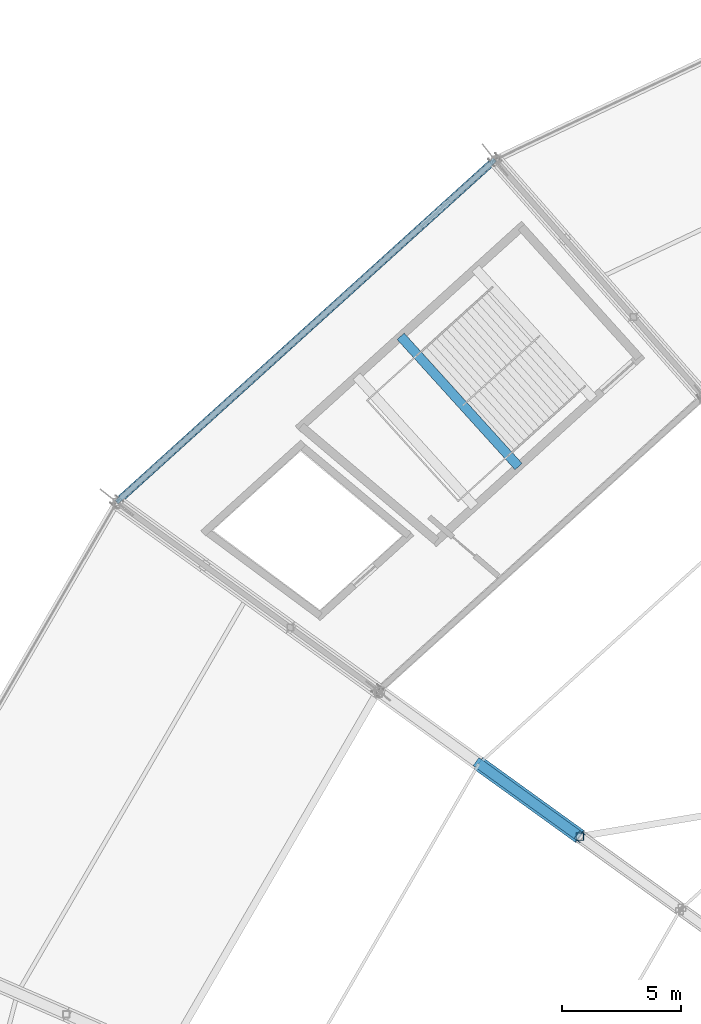
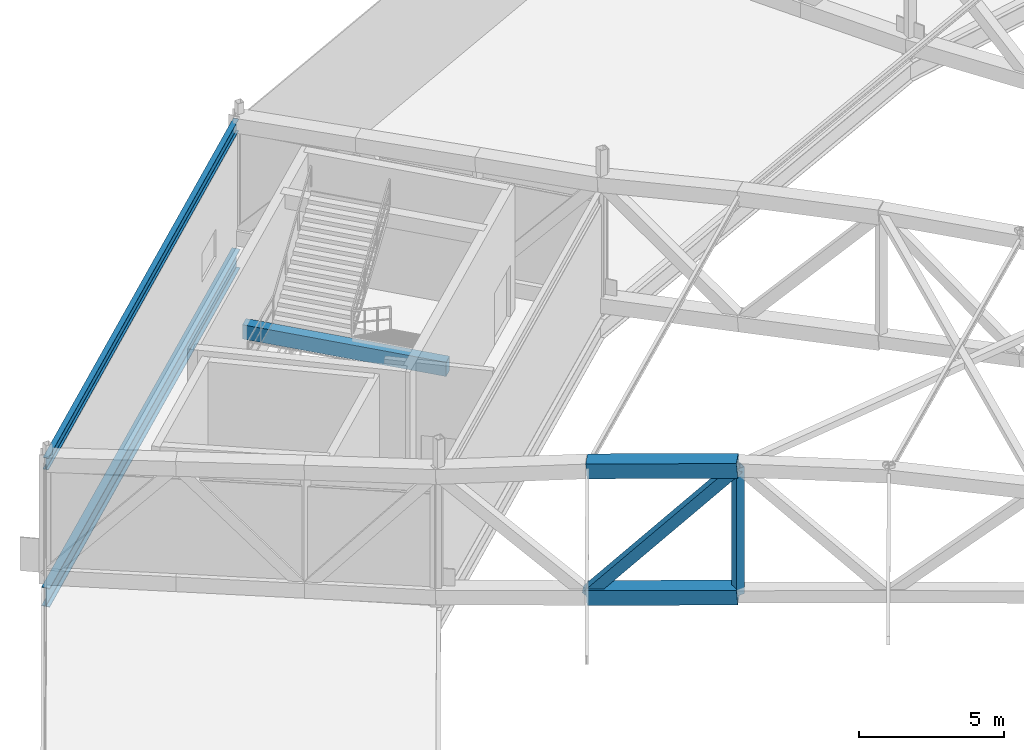
# One storey, part 67 of 162: 4 members, 3 beams.
"""IFC4 building model written with IfcOpenShell, lengths in metres."""

from ifc_helpers import new_model, si_unit, direction, frame, origin, origin_2d, place, context, subcontext, project, spatial, rectangle, hollow_rectangle, i_section, extrude, material, material_profile, profile_set, type_object, element, save


model = new_model("IFC4")

# Units and contexts
model_context = context("Model", 3, precision=1e-05, world=origin(), true_north=direction((0.0, 1.0)))
body_context = subcontext(model_context, "Body", "Model", "MODEL_VIEW")
ifc_project = project(units=[si_unit("LENGTHUNIT", "METRE"), si_unit("AREAUNIT", "SQUARE_METRE"), si_unit("VOLUMEUNIT", "CUBIC_METRE"), si_unit("PLANEANGLEUNIT", "RADIAN"), si_unit("MASSUNIT", "GRAM", prefix="KILO")], contexts=[model_context])

# Site, building, storey
site_placement = place(None, origin())
site = spatial("IfcSite", under=ifc_project, at=site_placement, CompositionType="ELEMENT")
building_placement = place(site_placement, origin())
building = spatial("IfcBuilding", under=site, at=building_placement, Name="Kazemori Nagisa Stadium", CompositionType="ELEMENT")
storey_placement = place(building_placement, frame((0.0, 0.0, 36.719970703125)))
storey = spatial("IfcBuildingStorey", under=building, at=storey_placement, Name="RF", CompositionType="ELEMENT", Elevation=36.719970703125)

# Beams
ifc_material_1 = material(Name="Steel SN490B", Category="steel")
ifc_material_profile_1 = material_profile(ifc_material_1, i_section(OverallWidth=0.199951171875, OverallDepth=0.5, WebThickness=0.010009765625, FlangeThickness=0.01611328125, FilletRadius=0.012939453125, at=origin_2d()), Name="H-500x200x10x16")
ifc_profile_set_1 = profile_set([ifc_material_profile_1], Name="Steel SN490B")
beam_type_1 = type_object("IfcBeamType", Name="Beam_BG-H500", PredefinedType="BEAM", material=ifc_profile_set_1)
beam_1_placement = place(storey_placement, frame((60.402099609375, 173.05908203125, 4.93994140625), z_axis=(-0.741351531326, -0.671116910084, 0.0), x_axis=(0.671116910084, -0.741351531326, 0.0)))
element("IfcBeam", 1, at=beam_1_placement, inside=storey, type_object=beam_type_1, Name="Headhouse roof beam BG-H500 B11-out", PredefinedType="BEAM", context=body_context, shape_type="SweptSolid", body=[
    extrude(i_section(OverallWidth=0.199951171875, OverallDepth=0.5, WebThickness=0.010009765625, FlangeThickness=0.01611328125, FilletRadius=0.012939453125, at=origin_2d()), origin(), (0.0, 0.0, 1.0), 21.44384765625),
])
ifc_material_profile_2 = material_profile(ifc_material_1, i_section(OverallWidth=0.300048828125, OverallDepth=0.800048828125, WebThickness=0.013916015625, FlangeThickness=0.02587890625, FilletRadius=0.01806640625, at=origin_2d()), Name="H-800x300x14x26")
ifc_profile_set_2 = profile_set([ifc_material_profile_2], Name="Steel SN490B")
beam_type_2 = type_object("IfcBeamType", Name="Beam_BG-H800", PredefinedType="BEAM", material=ifc_profile_set_2)
beam_2_placement = place(storey_placement, frame((60.402099609375, 173.05908203125, -0.679931640625), z_axis=(-0.741351531326, -0.671116910084, 0.0), x_axis=(0.671116910084, -0.741351531326, 0.0)))
element("IfcBeam", 2, at=beam_2_placement, inside=storey, type_object=beam_type_2, Name="Roof compression ring beam BG-H800 R3-11", PredefinedType="BEAM", context=body_context, shape_type="SweptSolid", body=[
    extrude(i_section(OverallWidth=0.300048828125, OverallDepth=0.800048828125, WebThickness=0.013916015625, FlangeThickness=0.02587890625, FilletRadius=0.01806640625, at=origin_2d()), origin(), (0.0, 0.0, 1.0), 21.44384765625),
])
ifc_material_2 = material(Name="Concrete C40/50 (Fc42)", Category="concrete")
ifc_material_profile_3 = material_profile(ifc_material_2, rectangle(XDim=0.39990234375, YDim=0.60009765625, at=origin_2d()), Name="RC-BM-400x600")
ifc_profile_set_3 = profile_set([ifc_material_profile_3], Name="Concrete C40/50 (Fc42)")
beam_type_3 = type_object("IfcBeamType", Name="Beam_BG-LND400X600", PredefinedType="BEAM", material=ifc_profile_set_3)
beam_3_placement = place(storey_placement, frame((61.39599609375, 160.164306640625, 2.219970703125), z_axis=(-0.671095068472, 0.741371303108, 0.0), x_axis=(-0.741371303108, -0.671095068472, 0.0)))
element("IfcBeam", 3, at=beam_3_placement, inside=storey, type_object=beam_type_3, Name="Core stair mid-landing girder ST02-RF-1", PredefinedType="BEAM", context=body_context, shape_type="SweptSolid", body=[
    extrude(rectangle(XDim=0.39990234375, YDim=0.60009765625, at=origin_2d()), origin(), (0.0, 0.0, 1.0), 7.3857421875),
])

# Members
ifc_material_3 = material(Name="Steel STKR490", Category="steel")
ifc_material_profile_4 = material_profile(ifc_material_3, hollow_rectangle(XDim=0.419921875, YDim=0.419921875, WallThickness=0.01611328125, at=origin_2d()), Name="SHS-420x420x16")
ifc_profile_set_4 = profile_set([ifc_material_profile_4], Name="Steel STKR490")
member_type_1 = type_object("IfcMemberType", Name="Member_TB-SHS420", PredefinedType="BRACE", material=ifc_profile_set_4)
member_1_placement = place(storey_placement, frame((59.732666015625, 147.674072265625, 0.838134765625), z_axis=(0.546896857852, -0.394816565852, 0.738257208702), x_axis=(0.585330267791, 0.810794966442, 0.0)))
element("IfcMember", 4, at=member_1_placement, inside=storey, type_object=member_type_1, Name="Roof space truss diagonal RT-12-5", PredefinedType="BRACE", context=body_context, shape_type="SweptSolid", body=[
    extrude(hollow_rectangle(XDim=0.419921875, YDim=0.419921875, WallThickness=0.01611328125, at=origin_2d()), origin(), (0.0, 0.0, 1.0), 7.75048828125),
])
ifc_material_profile_5 = material_profile(ifc_material_3, hollow_rectangle(XDim=0.6201171875, YDim=0.6201171875, WallThickness=0.02197265625, at=origin_2d()), Name="SHS-620x620x22")
ifc_profile_set_5 = profile_set([ifc_material_profile_5], Name="Steel STKR490")
member_type_2 = type_object("IfcMemberType", Name="Member_TC-SHS620", PredefinedType="CHORD", material=ifc_profile_set_5)
member_2_placement = place(storey_placement, frame((59.732666015625, 147.674072265625, 6.1650390625), z_axis=(0.808490311607, -0.583666488059, 0.075344852216), x_axis=(0.585330267791, 0.810794966442, 0.0)))
element("IfcMember", 5, at=member_2_placement, inside=storey, type_object=member_type_2, Name="Roof space truss top chord RT-12-5", PredefinedType="CHORD", context=body_context, shape_type="SweptSolid", body=[
    extrude(hollow_rectangle(XDim=0.6201171875, YDim=0.6201171875, WallThickness=0.02197265625, at=origin_2d()), origin(), (0.0, 0.0, 1.0), 5.242919921875),
])
member_3_placement = place(storey_placement, frame((59.732666015625, 147.674072265625, 0.838134765625), z_axis=(0.808684650837, -0.583806785715, 0.072102513506), x_axis=(0.585330267791, 0.810794966442, 0.0)))
element("IfcMember", 6, at=member_3_placement, inside=storey, type_object=member_type_2, Name="Roof space truss bottom chord RT-12-5", PredefinedType="CHORD", context=body_context, shape_type="SweptSolid", body=[
    extrude(hollow_rectangle(XDim=0.6201171875, YDim=0.6201171875, WallThickness=0.02197265625, at=origin_2d()), origin(), (0.0, 0.0, 1.0), 5.241455078125),
])
ifc_material_profile_6 = material_profile(ifc_material_3, hollow_rectangle(XDim=0.320068359375, YDim=0.320068359375, WallThickness=0.011962890625, at=origin_2d()), Name="SHS-320x320x12")
ifc_profile_set_6 = profile_set([ifc_material_profile_6], Name="Steel STKR490")
member_type_3 = type_object("IfcMemberType", Name="Member_TS-SHS320", PredefinedType="STRUT", material=ifc_profile_set_6)
member_4_placement = place(storey_placement, frame((63.971435546875, 144.614013671875, 1.216064453125), z_axis=(0.0, 0.0, 1.0), x_axis=(1.0, 0.0, 0.0)))
element("IfcMember", 7, at=member_4_placement, inside=storey, type_object=member_type_3, Name="Roof space truss strut RT-12-6", PredefinedType="STRUT", context=body_context, shape_type="SweptSolid", body=[
    extrude(hollow_rectangle(XDim=0.320068359375, YDim=0.320068359375, WallThickness=0.011962890625, at=origin_2d()), origin(), (0.0, 0.0, 1.0), 5.343994140625),
])

save(model, "model.ifc")
